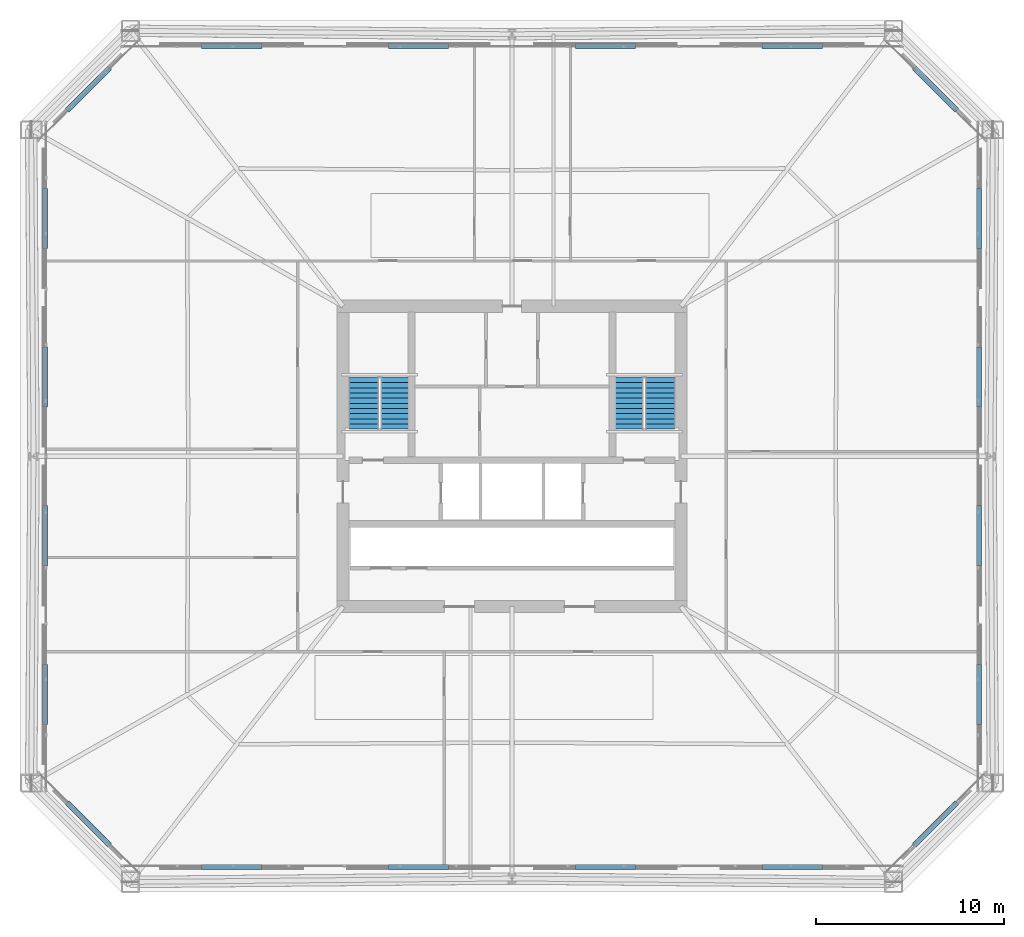
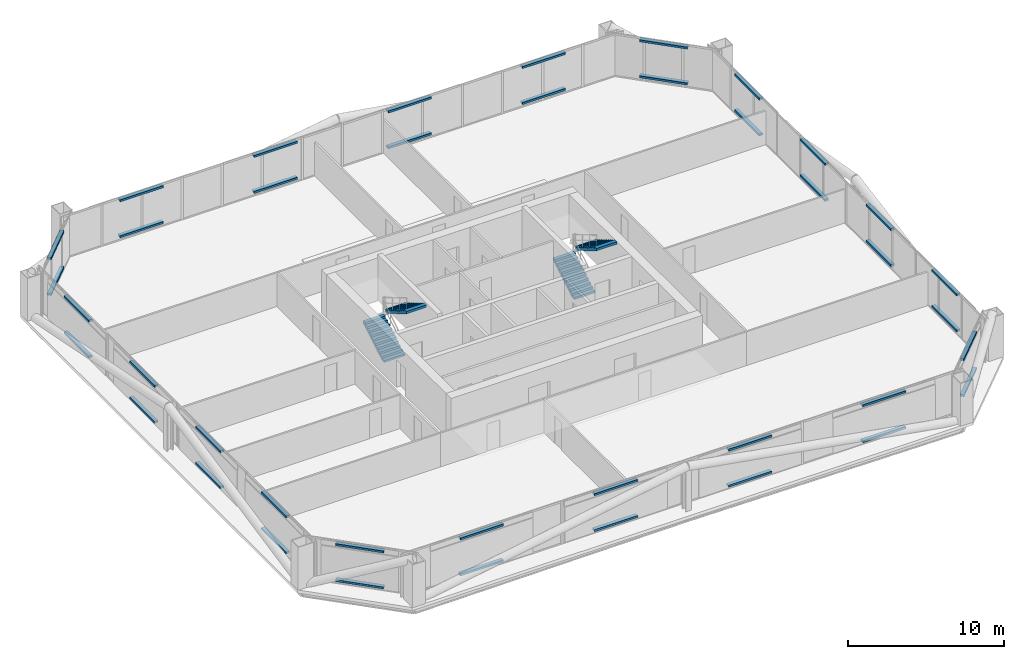
# One storey, part 47 of 50: 40 discrete accessories, 4 stair flights, 2 elements without a shape of their own.
"""IFC4 building model written with IfcOpenShell, lengths in metres."""

import ifcopenshell
import ifcopenshell.guid

model = None  # the IFC model being written
_history = None  # IfcOwnerHistory: only IFC2X3 demands one
_inside = {}  # id of a spatial element -> (the spatial element, [elements in it])
_under = {}  # id of a project, library or spatial element -> (it, [spatial elements below it])
_declared = {}  # id of a project -> (the project, [libraries it declares])
_typed = {}  # id of a type object -> (the type object, [elements of that type])
_made_of = {}  # id of a material, layer set ... -> (it, [elements and type objects made of it])


def new_model(schema):
    """Start an empty IFC model of exactly this schema.

    Asked for "IFC4X3", IfcOpenShell would pick the latest addendum, in which some entities
    have other attributes; the version numbers below select the first issue.
    IFC2X3 requires an IfcOwnerHistory on every rooted entity: one is made here for all.
    """
    global model, _history
    if schema == "IFC4X3":
        model = ifcopenshell.file(schema_version=(4, 3, 0, 0))
    else:
        model = ifcopenshell.file(schema=schema)
    _inside.clear()
    _under.clear()
    _declared.clear()
    _typed.clear()
    _made_of.clear()
    _history = None
    if model.schema == "IFC2X3":
        org = make("IfcOrganization", Name="unknown")
        user = make(
            "IfcPersonAndOrganization",
            ThePerson=make("IfcPerson", FamilyName="unknown"),
            TheOrganization=org,
        )
        app = make(
            "IfcApplication",
            ApplicationDeveloper=org,
            Version="unknown",
            ApplicationFullName="unknown",
            ApplicationIdentifier="unknown",
        )
        _history = make(
            "IfcOwnerHistory",
            OwningUser=user,
            OwningApplication=app,
            ChangeAction="ADDED",
            CreationDate=0,
        )
    return model


def make(cls, **values):
    """One entity of the class cls with the attributes given. An attribute that is None is left unset."""
    return model.create_entity(
        cls, **{name: value for name, value in values.items() if value is not None}
    )


def rooted(cls, **values):
    """An entity with a GlobalId (a new one), such as an element, a storey or a relation."""
    return make(cls, GlobalId=ifcopenshell.guid.new(), OwnerHistory=_history, **values)


def si_unit(unit_type, name, prefix=None):
    """IfcSIUnit, for example si_unit("LENGTHUNIT", "METRE", prefix="MILLI")."""
    return make("IfcSIUnit", UnitType=unit_type, Prefix=prefix, Name=name)


def assignment(units):
    """IfcUnitAssignment: the units of a project."""
    return None if units is None else make("IfcUnitAssignment", Units=units)


def point(xyz):
    """IfcCartesianPoint."""
    return None if xyz is None else make("IfcCartesianPoint", Coordinates=xyz)


def direction(xyz):
    """IfcDirection."""
    return None if xyz is None else make("IfcDirection", DirectionRatios=xyz)


def frame(location, z_axis=None, x_axis=None):
    """IfcAxis2Placement3D, a coordinate frame: its origin and axes. An axis left out is left unset."""
    return make(
        "IfcAxis2Placement3D",
        Location=point(location),
        Axis=direction(z_axis),
        RefDirection=direction(x_axis),
    )


def frame_2d(location, x_axis=None):
    """IfcAxis2Placement2D, a coordinate frame in the plane: its origin and x axis."""
    return make(
        "IfcAxis2Placement2D", Location=point(location), RefDirection=direction(x_axis)
    )


def origin():
    """The frame at (0, 0, 0) with its axes left unset."""
    return frame((0.0, 0.0, 0.0))


def origin_2d():
    """The frame at (0, 0) in the plane with its x axis left unset."""
    return frame_2d((0.0, 0.0))


def place(relative_to, where):
    """IfcLocalPlacement: puts the frame where relative to a parent placement (None: the world)."""
    return make(
        "IfcLocalPlacement", PlacementRelTo=relative_to, RelativePlacement=where
    )


def context(
    kind, dimensions, precision=None, world=None, true_north=None, identifier=None
):
    """IfcGeometricRepresentationContext, for example the 3D "Model" context."""
    return make(
        "IfcGeometricRepresentationContext",
        ContextIdentifier=identifier,
        ContextType=kind,
        CoordinateSpaceDimension=dimensions,
        Precision=precision,
        WorldCoordinateSystem=world,
        TrueNorth=true_north,
    )


def subcontext(parent, identifier, kind, view, scale=None):
    """IfcGeometricRepresentationSubContext, for example "Body" below "Model"."""
    return make(
        "IfcGeometricRepresentationSubContext",
        ContextIdentifier=identifier,
        ContextType=kind,
        ParentContext=parent,
        TargetScale=scale,
        TargetView=view,
    )


def project(units=None, contexts=None):
    """IfcProject with its units and contexts."""
    return rooted(
        "IfcProject",
        Name="project",
        RepresentationContexts=contexts,
        UnitsInContext=assignment(units),
    )


def spatial(cls, under=None, at=None, **own):
    """A site, building, storey or space (cls), placed at a placement, below another one or the project."""
    s = rooted(cls, ObjectPlacement=at, **own)
    if under is not None:
        _under.setdefault(under.id(), (under, []))[1].append(s)
    return s


def polyline(points):
    """IfcPolyline through the points."""
    return make("IfcPolyline", Points=[point(p) for p in points])


def profile(cls, at=None, kind="AREA", **sizes):
    """A parametric profile (cls). Its sizes go by their IFC names, for example OverallWidth=200.0."""
    return make(cls, ProfileType=kind, Position=at, **sizes)


def rectangle(**sizes):
    """IfcRectangleProfileDef."""
    return profile("IfcRectangleProfileDef", **sizes)


def outline(outer, holes=None, kind="AREA"):
    """IfcArbitraryClosedProfileDef: a profile drawn as a closed curve; with holes, ...WithVoids."""
    if holes is None:
        return make("IfcArbitraryClosedProfileDef", ProfileType=kind, OuterCurve=outer)
    return make(
        "IfcArbitraryProfileDefWithVoids",
        ProfileType=kind,
        OuterCurve=outer,
        InnerCurves=holes,
    )


def extrude(swept, where, along, depth):
    """IfcExtrudedAreaSolid: the profile swept, set in the frame where, extruded along a direction by depth."""
    return make(
        "IfcExtrudedAreaSolid",
        SweptArea=swept,
        Position=where,
        ExtrudedDirection=direction(along),
        Depth=depth,
    )


def shape(context_of_items, identifier, shape_type, items):
    """IfcShapeRepresentation: the items that make up one representation, for example the "Body"."""
    return make(
        "IfcShapeRepresentation",
        ContextOfItems=context_of_items,
        RepresentationIdentifier=identifier,
        RepresentationType=shape_type,
        Items=items,
    )


def material(Name=None, Category=None):
    """IfcMaterial."""
    return make("IfcMaterial", Name=Name, Category=Category)


def made_of(thing, what):
    """Note that an element or type object is made of a material, layer set ...; save() writes the relation."""
    if what is not None:
        _made_of.setdefault(what.id(), (what, []))[1].append(thing)
    return thing


def type_object(cls, material=None, **own):
    """A type object (cls), such as IfcWallType, which elements share."""
    return made_of(rooted(cls, **own), material)


def element(
    cls,
    number,
    at=None,
    inside=None,
    cuts=None,
    type_object=None,
    material=None,
    context=None,
    identifier="Body",
    shape_type=None,
    held_by="IfcProductDefinitionShape",
    body=None,
    shapes=None,
    **own,
):
    """One element of the class cls, such as IfcWall. Its Tag is "e" and its number.

    at: its placement. inside: the storey or other place that contains it. cuts: it is an
    opening in that element (IfcRelVoidsElement). A single representation is given by context,
    identifier, shape_type and body (its items); several are given by shapes. held_by: the class
    of the entity that holds the representations. save() writes the other relations.
    """
    e = rooted(cls, Tag="e%d" % number, ObjectPlacement=at, **own)
    if body is not None:
        shapes = [shape(context, identifier, shape_type, body)]
    if shapes is not None:
        e.Representation = make(held_by, Representations=shapes)
    if inside is not None:
        _inside.setdefault(inside.id(), (inside, []))[1].append(e)
    if cuts is not None:
        rooted(
            "IfcRelVoidsElement", RelatingBuildingElement=cuts, RelatedOpeningElement=e
        )
    if type_object is not None:
        _typed.setdefault(type_object.id(), (type_object, []))[1].append(e)
    return made_of(e, material)


def aggregate(whole, parts):
    """IfcRelAggregates: a whole, such as a stair, and the parts it consists of."""
    return rooted("IfcRelAggregates", RelatingObject=whole, RelatedObjects=parts)


def save(model, path):
    """Write the relations noted so far, then the file.

    IfcRelAggregates (storeys below a building ...), IfcRelContainedInSpatialStructure (elements
    in a storey), IfcRelDefinesByType, IfcRelAssociatesMaterial and IfcRelDeclares: one each for
    every whole, place, type object, material and project.
    """
    for whole, parts in _under.values():
        aggregate(whole, parts)
    for where, things in _inside.values():
        rooted(
            "IfcRelContainedInSpatialStructure",
            RelatedElements=things,
            RelatingStructure=where,
        )
    for kind, things in _typed.values():
        rooted("IfcRelDefinesByType", RelatedObjects=things, RelatingType=kind)
    for what, things in _made_of.values():
        rooted("IfcRelAssociatesMaterial", RelatedObjects=things, RelatingMaterial=what)
    for by, libraries in _declared.values():
        rooted("IfcRelDeclares", RelatingContext=by, RelatedDefinitions=libraries)
    model.write(path)


model = new_model("IFC4")

# Units and contexts
model_context = context("Model", 3, precision=1e-05, world=origin(), true_north=direction((0.0, 1.0)))
body_context = subcontext(model_context, "Body", "Model", "MODEL_VIEW")
ifc_project = project(units=[si_unit("LENGTHUNIT", "METRE"), si_unit("AREAUNIT", "SQUARE_METRE"), si_unit("VOLUMEUNIT", "CUBIC_METRE"), si_unit("PLANEANGLEUNIT", "RADIAN"), si_unit("MASSUNIT", "GRAM", prefix="KILO")], contexts=[model_context])

# Site, building, storey
site_placement = place(None, origin())
site = spatial("IfcSite", under=ifc_project, at=site_placement, CompositionType="ELEMENT")
building_placement = place(site_placement, origin())
building = spatial("IfcBuilding", under=site, at=building_placement, Name="Caelvoria Tower", CompositionType="ELEMENT")
storey_placement = place(building_placement, frame((0.0, 0.0, 71.199951171875)))
storey = spatial("IfcBuildingStorey", under=building, at=storey_placement, Name="L18", CompositionType="ELEMENT", Elevation=71.199951171875)

# Stair, stair flights
ifc_material_1 = material(Name="Concrete C40/50", Category="concrete")
stair_type = type_object("IfcStairType", Name="Core Smokeproof Dogleg Stair Concrete C40/50", PredefinedType="HALF_TURN_STAIR", material=ifc_material_1)
stair_1_placement = place(storey_placement, origin())
stair_1 = element("IfcStair", 1, at=stair_1_placement, inside=storey, type_object=stair_type, Name="ST-01 Smokeproof Exit Stair L18", PredefinedType="HALF_TURN_STAIR")
ifc_material_2 = material(Name="Precast Concrete C40/50", Category="concrete")
stair_flight_type = type_object("IfcStairFlightType", Name="Precast Concrete C40/50 Stair Flight 1480", PredefinedType="STRAIGHT", material=ifc_material_2)
stair_flight_1_placement = place(storey_placement, frame((38.1298828125, 33.449951171875, 0.0), z_axis=(0.0, 0.0, 1.0), x_axis=(0.0, 1.0, 0.0)))
stair_flight_1 = element("IfcStairFlight", 2, at=stair_flight_1_placement, type_object=stair_flight_type, Name="ST-01 flight 1", NumberOfRisers=11, NumberOfTreads=10, PredefinedType="STRAIGHT", RiserHeight=0.1636, TreadLength=0.275, context=body_context, shape_type="SweptSolid", body=[
    extrude(outline(polyline([(0.0, 0.0), (0.0, 0.16357421875), (0.27490234375, 0.16357421875), (0.27490234375, 0.3271484375), (0.550048828125, 0.3271484375), (0.550048828125, 0.49072265625), (0.824951171875, 0.49072265625), (0.824951171875, 0.654296875), (1.10009765625, 0.654296875), (1.10009765625, 0.818115234375), (1.375, 0.818115234375), (1.375, 0.981689453125), (1.64990234375, 0.981689453125), (1.64990234375, 1.145263671875), (1.925048828125, 1.145263671875), (1.925048828125, 1.308837890625), (2.199951171875, 1.308837890625), (2.199951171875, 1.472412109375), (2.47509765625, 1.472412109375), (2.47509765625, 1.635986328125), (2.75, 1.635986328125), (2.75, 1.799560546875), (2.75, 1.449951171875), (0.312744140625, 0.0), (0.0, 0.0)])), frame((0.0, 0.77001953125, 0.0), z_axis=(0.0, -1.0, 0.0), x_axis=(1.0, 0.0, 0.0)), (0.0, 0.0, 1.0), 1.5400390625),
])
stair_flight_2_placement = place(storey_placement, frame((39.77001953125, 36.199951171875, 1.800048828125), z_axis=(0.0, 0.0, 1.0), x_axis=(0.0, -1.0, 0.0)))
stair_flight_2 = element("IfcStairFlight", 3, at=stair_flight_2_placement, type_object=stair_flight_type, Name="ST-01 flight 2", NumberOfRisers=11, NumberOfTreads=10, PredefinedType="STRAIGHT", RiserHeight=0.1636, TreadLength=0.275, context=body_context, shape_type="SweptSolid", body=[
    extrude(outline(polyline([(0.0, 0.0), (0.0, 0.16357421875), (0.27490234375, 0.16357421875), (0.27490234375, 0.3271484375), (0.550048828125, 0.3271484375), (0.550048828125, 0.49072265625), (0.824951171875, 0.49072265625), (0.824951171875, 0.654296875), (1.10009765625, 0.654296875), (1.10009765625, 0.818115234375), (1.375, 0.818115234375), (1.375, 0.981689453125), (1.64990234375, 0.981689453125), (1.64990234375, 1.145263671875), (1.925048828125, 1.145263671875), (1.925048828125, 1.308837890625), (2.199951171875, 1.308837890625), (2.199951171875, 1.472412109375), (2.47509765625, 1.472412109375), (2.47509765625, 1.635986328125), (2.75, 1.635986328125), (2.75, 1.799560546875), (2.75, 1.449951171875), (0.312744140625, 0.0), (0.0, 0.0)])), frame((0.0, 0.77001953125, 0.0), z_axis=(0.0, -1.0, 0.0), x_axis=(1.0, 0.0, 0.0)), (0.0, 0.0, 1.0), 1.5400390625),
])
aggregate(stair_1, [stair_flight_1, stair_flight_2])

stair_2_placement = place(storey_placement, origin())
stair_2 = element("IfcStair", 4, at=stair_2_placement, inside=storey, type_object=stair_type, Name="ST-02 Smokeproof Exit Stair L18", PredefinedType="HALF_TURN_STAIR")
stair_flight_3_placement = place(storey_placement, frame((52.22998046875, 33.449951171875, 0.0), z_axis=(0.0, 0.0, 1.0), x_axis=(0.0, 1.0, 0.0)))
stair_flight_3 = element("IfcStairFlight", 5, at=stair_flight_3_placement, type_object=stair_flight_type, Name="ST-02 flight 1", NumberOfRisers=11, NumberOfTreads=10, PredefinedType="STRAIGHT", RiserHeight=0.1636, TreadLength=0.275, context=body_context, shape_type="SweptSolid", body=[
    extrude(outline(polyline([(0.0, 0.0), (0.0, 0.16357421875), (0.27490234375, 0.16357421875), (0.27490234375, 0.3271484375), (0.550048828125, 0.3271484375), (0.550048828125, 0.49072265625), (0.824951171875, 0.49072265625), (0.824951171875, 0.654296875), (1.10009765625, 0.654296875), (1.10009765625, 0.818115234375), (1.375, 0.818115234375), (1.375, 0.981689453125), (1.64990234375, 0.981689453125), (1.64990234375, 1.145263671875), (1.925048828125, 1.145263671875), (1.925048828125, 1.308837890625), (2.199951171875, 1.308837890625), (2.199951171875, 1.472412109375), (2.47509765625, 1.472412109375), (2.47509765625, 1.635986328125), (2.75, 1.635986328125), (2.75, 1.799560546875), (2.75, 1.449951171875), (0.312744140625, 0.0), (0.0, 0.0)])), frame((0.0, 0.77001953125, 0.0), z_axis=(0.0, -1.0, 0.0), x_axis=(1.0, 0.0, 0.0)), (0.0, 0.0, 1.0), 1.5400390625),
])
stair_flight_4_placement = place(storey_placement, frame((53.8701171875, 36.199951171875, 1.800048828125), z_axis=(0.0, 0.0, 1.0), x_axis=(0.0, -1.0, 0.0)))
stair_flight_4 = element("IfcStairFlight", 6, at=stair_flight_4_placement, type_object=stair_flight_type, Name="ST-02 flight 2", NumberOfRisers=11, NumberOfTreads=10, PredefinedType="STRAIGHT", RiserHeight=0.1636, TreadLength=0.275, context=body_context, shape_type="SweptSolid", body=[
    extrude(outline(polyline([(0.0, 0.0), (0.0, 0.16357421875), (0.27490234375, 0.16357421875), (0.27490234375, 0.3271484375), (0.550048828125, 0.3271484375), (0.550048828125, 0.49072265625), (0.824951171875, 0.49072265625), (0.824951171875, 0.654296875), (1.10009765625, 0.654296875), (1.10009765625, 0.818115234375), (1.375, 0.818115234375), (1.375, 0.981689453125), (1.64990234375, 0.981689453125), (1.64990234375, 1.145263671875), (1.925048828125, 1.145263671875), (1.925048828125, 1.308837890625), (2.199951171875, 1.308837890625), (2.199951171875, 1.472412109375), (2.47509765625, 1.472412109375), (2.47509765625, 1.635986328125), (2.75, 1.635986328125), (2.75, 1.799560546875), (2.75, 1.449951171875), (0.312744140625, 0.0), (0.0, 0.0)])), frame((0.0, 0.77001953125, 0.0), z_axis=(0.0, -1.0, 0.0), x_axis=(1.0, 0.0, 0.0)), (0.0, 0.0, 1.0), 1.5400390625),
])
aggregate(stair_2, [stair_flight_3, stair_flight_4])

# Discrete accessories
ifc_material_3 = material(Name="Anodised Bronze Stainless Bracket", Category="bronze")
discrete_accessory_type = type_object("IfcDiscreteAccessoryType", Name="Solar Screen Outrigger Support Bracket", PredefinedType="BRACKET", material=ifc_material_3)
for number, where, z_axis, x_axis, name in (
    (7, (31.074951171875, 10.130615234375, 0.240234375), (0.0, 0.0, 1.0), (1.0, 0.0, 0.0), "Solar Screen Bracket L18-E0-00"),
    (8, (31.074951171875, 10.130615234375, 3.06005859375), (0.0, 0.0, 1.0), (1.0, 0.0, 0.0), "Upper Screen Band Bracket L18-E0-00"),
    (9, (41.02490234375, 10.130615234375, 0.240234375), (0.0, 0.0, 1.0), (1.0, 0.0, 0.0), "Solar Screen Bracket L18-E0-01"),
    (10, (41.02490234375, 10.130615234375, 3.06005859375), (0.0, 0.0, 1.0), (1.0, 0.0, 0.0), "Upper Screen Band Bracket L18-E0-01"),
    (11, (50.97509765625, 10.130615234375, 0.240234375), (0.0, 0.0, 1.0), (1.0, 0.0, 0.0), "Solar Screen Bracket L18-E0-02"),
    (12, (50.97509765625, 10.130615234375, 3.06005859375), (0.0, 0.0, 1.0), (1.0, 0.0, 0.0), "Upper Screen Band Bracket L18-E0-02"),
    (13, (60.925048828125, 10.130615234375, 0.240234375), (0.0, 0.0, 1.0), (1.0, 0.0, 0.0), "Solar Screen Bracket L18-E0-03"),
    (14, (60.925048828125, 10.130615234375, 3.06005859375), (0.0, 0.0, 1.0), (1.0, 0.0, 0.0), "Upper Screen Band Bracket L18-E0-03"),
    (15, (68.55908203125, 12.44091796875, 0.240234375), (0.0, 0.0, 1.0), (0.707106781187, 0.707106781187, 0.0), "Solar Screen Bracket L18-E1-00"),
    (16, (68.55908203125, 12.44091796875, 3.06005859375), (0.0, 0.0, 1.0), (0.707106781187, 0.707106781187, 0.0), "Upper Screen Band Bracket L18-E1-00"),
    (17, (70.869384765625, 19.324951171875, 0.240234375), (0.0, 0.0, 1.0), (0.0, 1.0, 0.0), "Solar Screen Bracket L18-E2-00"),
    (18, (70.869384765625, 19.324951171875, 3.06005859375), (0.0, 0.0, 1.0), (0.0, 1.0, 0.0), "Upper Screen Band Bracket L18-E2-00"),
    (19, (70.869384765625, 27.77490234375, 0.240234375), (0.0, 0.0, 1.0), (0.0, 1.0, 0.0), "Solar Screen Bracket L18-E2-01"),
    (20, (70.869384765625, 27.77490234375, 3.06005859375), (0.0, 0.0, 1.0), (0.0, 1.0, 0.0), "Upper Screen Band Bracket L18-E2-01"),
    (21, (70.869384765625, 36.22509765625, 0.240234375), (0.0, 0.0, 1.0), (0.0, 1.0, 0.0), "Solar Screen Bracket L18-E2-02"),
    (22, (70.869384765625, 36.22509765625, 3.06005859375), (0.0, 0.0, 1.0), (0.0, 1.0, 0.0), "Upper Screen Band Bracket L18-E2-02"),
    (23, (70.869384765625, 44.675048828125, 0.240234375), (0.0, 0.0, 1.0), (0.0, 1.0, 0.0), "Solar Screen Bracket L18-E2-03"),
    (24, (70.869384765625, 44.675048828125, 3.06005859375), (0.0, 0.0, 1.0), (0.0, 1.0, 0.0), "Upper Screen Band Bracket L18-E2-03"),
    (25, (68.55908203125, 51.55908203125, 0.240234375), (0.0, 0.0, 1.0), (-0.707106781187, 0.707106781187, 0.0), "Solar Screen Bracket L18-E3-00"),
    (26, (68.55908203125, 51.55908203125, 3.06005859375), (0.0, 0.0, 1.0), (-0.707106781187, 0.707106781187, 0.0), "Upper Screen Band Bracket L18-E3-00"),
    (27, (60.925048828125, 53.869384765625, 0.240234375), (0.0, 0.0, 1.0), (-1.0, 0.0, 0.0), "Solar Screen Bracket L18-E4-00"),
    (28, (60.925048828125, 53.869384765625, 3.06005859375), (0.0, 0.0, 1.0), (-1.0, 0.0, 0.0), "Upper Screen Band Bracket L18-E4-00"),
    (29, (50.97509765625, 53.869384765625, 0.240234375), (0.0, 0.0, 1.0), (-1.0, 0.0, 0.0), "Solar Screen Bracket L18-E4-01"),
    (30, (50.97509765625, 53.869384765625, 3.06005859375), (0.0, 0.0, 1.0), (-1.0, 0.0, 0.0), "Upper Screen Band Bracket L18-E4-01"),
    (31, (41.02490234375, 53.869384765625, 0.240234375), (0.0, 0.0, 1.0), (-1.0, 0.0, 0.0), "Solar Screen Bracket L18-E4-02"),
    (32, (41.02490234375, 53.869384765625, 3.06005859375), (0.0, 0.0, 1.0), (-1.0, 0.0, 0.0), "Upper Screen Band Bracket L18-E4-02"),
    (33, (31.074951171875, 53.869384765625, 0.240234375), (0.0, 0.0, 1.0), (-1.0, 0.0, 0.0), "Solar Screen Bracket L18-E4-03"),
    (34, (31.074951171875, 53.869384765625, 3.06005859375), (0.0, 0.0, 1.0), (-1.0, 0.0, 0.0), "Upper Screen Band Bracket L18-E4-03"),
    (35, (23.44091796875, 51.55908203125, 0.240234375), (0.0, 0.0, 1.0), (-0.707106781187, -0.707106781187, 0.0), "Solar Screen Bracket L18-E5-00"),
    (36, (23.44091796875, 51.55908203125, 3.06005859375), (0.0, 0.0, 1.0), (-0.707106781187, -0.707106781187, 0.0), "Upper Screen Band Bracket L18-E5-00"),
    (37, (21.130615234375, 44.675048828125, 0.240234375), (0.0, 0.0, 1.0), (0.0, -1.0, 0.0), "Solar Screen Bracket L18-E6-00"),
    (38, (21.130615234375, 44.675048828125, 3.06005859375), (0.0, 0.0, 1.0), (0.0, -1.0, 0.0), "Upper Screen Band Bracket L18-E6-00"),
    (39, (21.130615234375, 36.22509765625, 0.240234375), (0.0, 0.0, 1.0), (0.0, -1.0, 0.0), "Solar Screen Bracket L18-E6-01"),
    (40, (21.130615234375, 36.22509765625, 3.06005859375), (0.0, 0.0, 1.0), (0.0, -1.0, 0.0), "Upper Screen Band Bracket L18-E6-01"),
    (41, (21.130615234375, 27.77490234375, 0.240234375), (0.0, 0.0, 1.0), (0.0, -1.0, 0.0), "Solar Screen Bracket L18-E6-02"),
    (42, (21.130615234375, 27.77490234375, 3.06005859375), (0.0, 0.0, 1.0), (0.0, -1.0, 0.0), "Upper Screen Band Bracket L18-E6-02"),
    (43, (21.130615234375, 19.324951171875, 0.240234375), (0.0, 0.0, 1.0), (0.0, -1.0, 0.0), "Solar Screen Bracket L18-E6-03"),
    (44, (21.130615234375, 19.324951171875, 3.06005859375), (0.0, 0.0, 1.0), (0.0, -1.0, 0.0), "Upper Screen Band Bracket L18-E6-03"),
    (45, (23.44091796875, 12.44091796875, 0.240234375), (0.0, 0.0, 1.0), (0.707106781187, -0.707106781187, 0.0), "Solar Screen Bracket L18-E7-00"),
    (46, (23.44091796875, 12.44091796875, 3.06005859375), (0.0, 0.0, 1.0), (0.707106781187, -0.707106781187, 0.0), "Upper Screen Band Bracket L18-E7-00"),
):
    element("IfcDiscreteAccessory", number, at=place(storey_placement, frame(where, z_axis=z_axis, x_axis=x_axis)), inside=storey, type_object=discrete_accessory_type, Name=name, PredefinedType="BRACKET", context=body_context, shape_type="SweptSolid", body=[
        extrude(rectangle(XDim=3.199951171875, YDim=0.280029296875, at=origin_2d()), origin(), (0.0, 0.0, 1.0), 0.159912109375),
    ])

save(model, "model.ifc")
